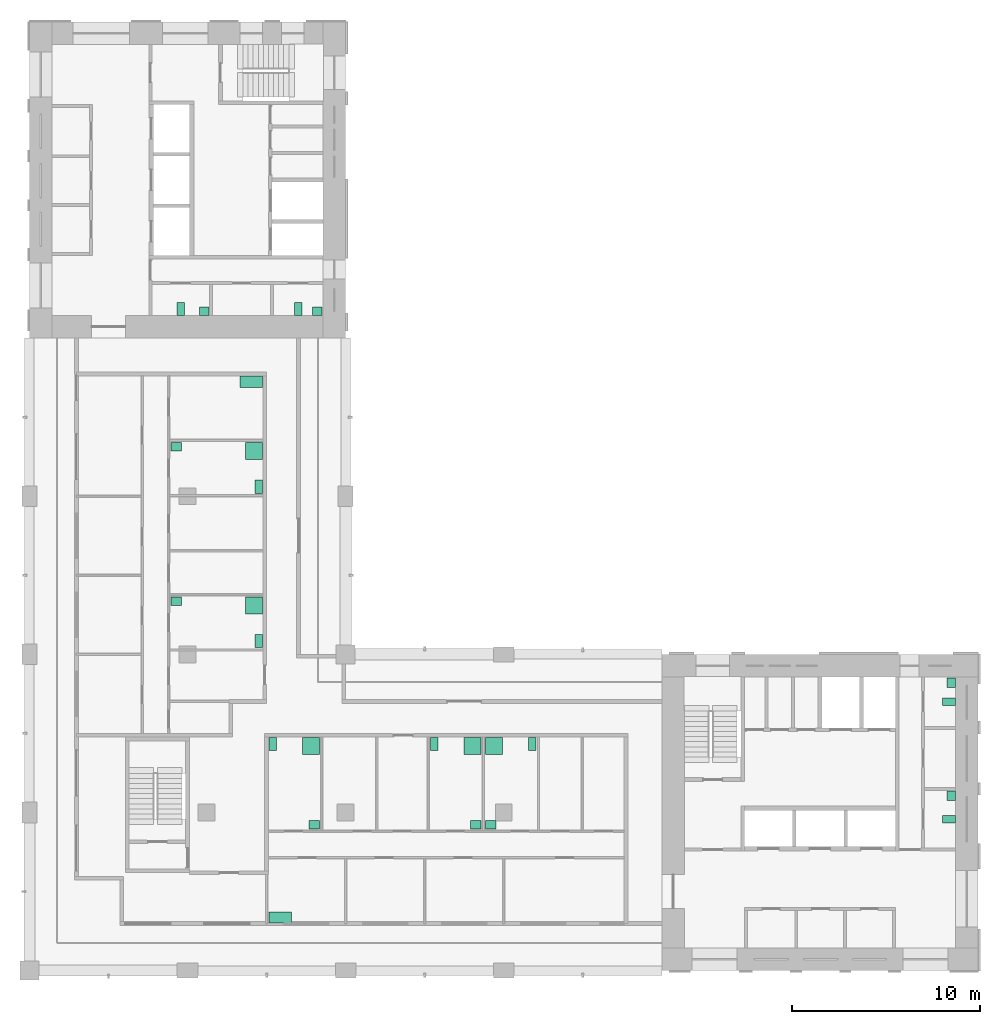
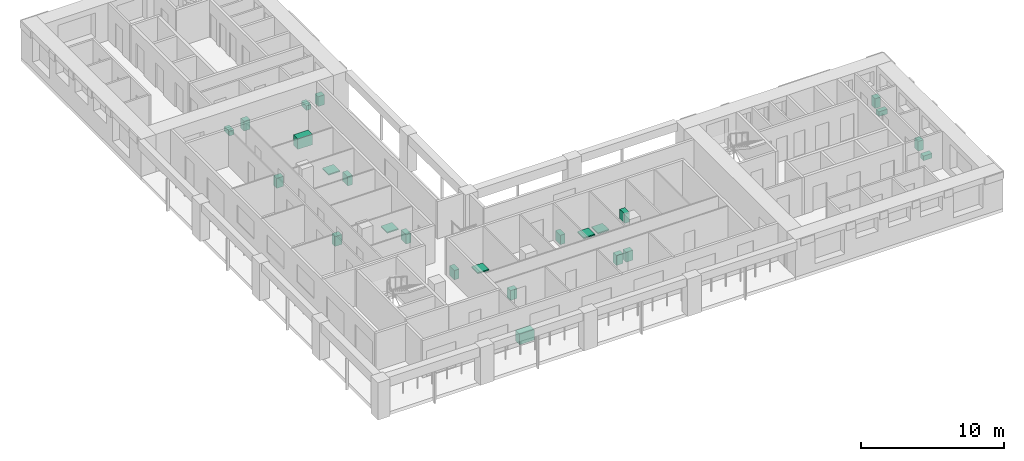
# One storey, part 10 of 10: 25 sanitary terminals.
"""IFC4 building model written with IfcOpenShell, lengths in metres."""

from ifc_helpers import new_model, si_unit, direction, frame, origin, origin_2d, place, context, subcontext, project, spatial, rectangle, extrude, material, element, save


model = new_model("IFC4")

# Units and contexts
model_context = context("Model", 3, precision=1e-05, world=origin(), true_north=direction((0.0, 1.0)))
body_context = subcontext(model_context, "Body", "Model", "MODEL_VIEW")
ifc_project = project(units=[si_unit("LENGTHUNIT", "METRE"), si_unit("AREAUNIT", "SQUARE_METRE"), si_unit("VOLUMEUNIT", "CUBIC_METRE"), si_unit("PLANEANGLEUNIT", "RADIAN"), si_unit("MASSUNIT", "GRAM", prefix="KILO")], contexts=[model_context])

# Site, building, storey
site_placement = place(None, origin())
site = spatial("IfcSite", under=ifc_project, at=site_placement, CompositionType="ELEMENT")
building_placement = place(site_placement, origin())
building = spatial("IfcBuilding", under=site, at=building_placement, Name="Vermilion Gate Residences", CompositionType="ELEMENT")
storey_placement = place(building_placement, frame((0.0, 0.0, 273.699951171875)))
storey = spatial("IfcBuildingStorey", under=building, at=storey_placement, Name="L72", CompositionType="ELEMENT", Elevation=273.699951171875)

# Sanitary terminals
ifc_material_1 = material(Name="Vitreous china")
sanitary_terminal_1_placement = place(storey_placement, frame((57.25, 16.43994140625, 0.0), z_axis=(0.0, 0.0, 1.0), x_axis=(1.0, 0.0, 0.0)))
element("IfcSanitaryTerminal", 1, at=sanitary_terminal_1_placement, inside=storey, material=ifc_material_1, Name="Toilet pan A72", PredefinedType="TOILETPAN", context=body_context, shape_type="SweptSolid", body=[
    extrude(rectangle(XDim=0.699951171875, YDim=0.39990234375, at=origin_2d()), origin(), (0.0, 0.0, 1.0), 0.39990234375),
])
sanitary_terminal_2_placement = place(storey_placement, frame((57.375, 17.679931640625, 0.0), z_axis=(0.0, 0.0, 1.0), x_axis=(1.0, 0.0, 0.0)))
element("IfcSanitaryTerminal", 2, at=sanitary_terminal_2_placement, inside=storey, material=ifc_material_1, Name="Washbasin A72", PredefinedType="WASHHANDBASIN", context=body_context, shape_type="SweptSolid", body=[
    extrude(rectangle(XDim=0.449951171875, YDim=0.5, at=origin_2d()), origin(), (0.0, 0.0, 1.0), 0.85009765625),
])
sanitary_terminal_3_placement = place(storey_placement, frame((57.25, 22.679931640625, 0.0), z_axis=(0.0, 0.0, 1.0), x_axis=(1.0, 0.0, 0.0)))
element("IfcSanitaryTerminal", 3, at=sanitary_terminal_3_placement, inside=storey, material=ifc_material_1, Name="Toilet pan A72", PredefinedType="TOILETPAN", context=body_context, shape_type="SweptSolid", body=[
    extrude(rectangle(XDim=0.699951171875, YDim=0.39990234375, at=origin_2d()), origin(), (0.0, 0.0, 1.0), 0.39990234375),
])
sanitary_terminal_4_placement = place(storey_placement, frame((57.375, 23.699951171875, 0.0), z_axis=(0.0, 0.0, 1.0), x_axis=(1.0, 0.0, 0.0)))
element("IfcSanitaryTerminal", 4, at=sanitary_terminal_4_placement, inside=storey, material=ifc_material_1, Name="Washbasin A72", PredefinedType="WASHHANDBASIN", context=body_context, shape_type="SweptSolid", body=[
    extrude(rectangle(XDim=0.449951171875, YDim=0.5, at=origin_2d()), origin(), (0.0, 0.0, 1.0), 0.85009765625),
])
sanitary_terminal_5_placement = place(storey_placement, frame((16.43994140625, 43.550048828125, 0.0), z_axis=(0.0, 0.0, 1.0), x_axis=(1.0, 0.0, 0.0)))
element("IfcSanitaryTerminal", 5, at=sanitary_terminal_5_placement, inside=storey, material=ifc_material_1, Name="Toilet pan B72", PredefinedType="TOILETPAN", context=body_context, shape_type="SweptSolid", body=[
    extrude(rectangle(XDim=0.39990234375, YDim=0.699951171875, at=origin_2d()), origin(), (0.0, 0.0, 1.0), 0.39990234375),
])
sanitary_terminal_6_placement = place(storey_placement, frame((17.679931640625, 43.425048828125, 0.0), z_axis=(0.0, 0.0, 1.0), x_axis=(1.0, 0.0, 0.0)))
element("IfcSanitaryTerminal", 6, at=sanitary_terminal_6_placement, inside=storey, material=ifc_material_1, Name="Washbasin B72", PredefinedType="WASHHANDBASIN", context=body_context, shape_type="SweptSolid", body=[
    extrude(rectangle(XDim=0.5, YDim=0.449951171875, at=origin_2d()), origin(), (0.0, 0.0, 1.0), 0.85009765625),
])
sanitary_terminal_7_placement = place(storey_placement, frame((22.679931640625, 43.550048828125, 0.0), z_axis=(0.0, 0.0, 1.0), x_axis=(1.0, 0.0, 0.0)))
element("IfcSanitaryTerminal", 7, at=sanitary_terminal_7_placement, inside=storey, material=ifc_material_1, Name="Toilet pan B72", PredefinedType="TOILETPAN", context=body_context, shape_type="SweptSolid", body=[
    extrude(rectangle(XDim=0.39990234375, YDim=0.699951171875, at=origin_2d()), origin(), (0.0, 0.0, 1.0), 0.39990234375),
])
sanitary_terminal_8_placement = place(storey_placement, frame((23.699951171875, 43.425048828125, 0.0), z_axis=(0.0, 0.0, 1.0), x_axis=(1.0, 0.0, 0.0)))
element("IfcSanitaryTerminal", 8, at=sanitary_terminal_8_placement, inside=storey, material=ifc_material_1, Name="Washbasin B72", PredefinedType="WASHHANDBASIN", context=body_context, shape_type="SweptSolid", body=[
    extrude(rectangle(XDim=0.5, YDim=0.449951171875, at=origin_2d()), origin(), (0.0, 0.0, 1.0), 0.85009765625),
])
ifc_material_2 = material(Name="Stainless steel", Category="steel")
sanitary_terminal_9_placement = place(storey_placement, frame((21.719970703125, 11.219970703125, 0.0), z_axis=(0.0, 0.0, 1.0), x_axis=(1.0, 0.0, 0.0)))
element("IfcSanitaryTerminal", 9, at=sanitary_terminal_9_placement, inside=storey, material=ifc_material_2, Name="Kitchen sink", PredefinedType="SINK", context=body_context, shape_type="SweptSolid", body=[
    extrude(rectangle(XDim=1.199951171875, YDim=0.60009765625, at=origin_2d()), origin(), (0.0, 0.0, 1.0), 0.89990234375),
])
sanitary_terminal_10_placement = place(storey_placement, frame((23.35888671875, 20.330078125, 0.0), z_axis=(0.0, 0.0, 1.0), x_axis=(1.0, 0.0, 0.0)))
element("IfcSanitaryTerminal", 10, at=sanitary_terminal_10_placement, inside=storey, material=ifc_material_1, Name="Shower tray", PredefinedType="SHOWER", context=body_context, shape_type="SweptSolid", body=[
    extrude(rectangle(XDim=0.89990234375, YDim=0.89990234375, at=origin_2d()), origin(), (0.0, 0.0, 1.0), 0.10009765625),
])
sanitary_terminal_11_placement = place(storey_placement, frame((21.320068359375, 20.429931640625, 0.0), z_axis=(0.0, 0.0, 1.0), x_axis=(1.0, 0.0, 0.0)))
element("IfcSanitaryTerminal", 11, at=sanitary_terminal_11_placement, inside=storey, material=ifc_material_1, Name="Toilet", PredefinedType="TOILETPAN", context=body_context, shape_type="SweptSolid", body=[
    extrude(rectangle(XDim=0.39990234375, YDim=0.699951171875, at=origin_2d()), origin(), (0.0, 0.0, 1.0), 0.800048828125),
])
sanitary_terminal_12_placement = place(storey_placement, frame((23.533935546875, 16.14501953125, 0.0), z_axis=(0.0, 0.0, 1.0), x_axis=(1.0, 0.0, 0.0)))
element("IfcSanitaryTerminal", 12, at=sanitary_terminal_12_placement, inside=storey, material=ifc_material_1, Name="Wash basin", PredefinedType="WASHHANDBASIN", context=body_context, shape_type="SweptSolid", body=[
    extrude(rectangle(XDim=0.550048828125, YDim=0.449951171875, at=origin_2d()), origin(), (0.0, 0.0, 1.0), 0.85009765625),
])
sanitary_terminal_13_placement = place(storey_placement, frame((31.944091796875, 20.330078125, 0.0), z_axis=(0.0, 0.0, 1.0), x_axis=(1.0, 0.0, 0.0)))
element("IfcSanitaryTerminal", 13, at=sanitary_terminal_13_placement, inside=storey, material=ifc_material_1, Name="Shower tray", PredefinedType="SHOWER", context=body_context, shape_type="SweptSolid", body=[
    extrude(rectangle(XDim=0.89990234375, YDim=0.89990234375, at=origin_2d()), origin(), (0.0, 0.0, 1.0), 0.10009765625),
])
sanitary_terminal_14_placement = place(storey_placement, frame((29.906005859375, 20.429931640625, 0.0), z_axis=(0.0, 0.0, 1.0), x_axis=(1.0, 0.0, 0.0)))
element("IfcSanitaryTerminal", 14, at=sanitary_terminal_14_placement, inside=storey, material=ifc_material_1, Name="Toilet", PredefinedType="TOILETPAN", context=body_context, shape_type="SweptSolid", body=[
    extrude(rectangle(XDim=0.39990234375, YDim=0.699951171875, at=origin_2d()), origin(), (0.0, 0.0, 1.0), 0.800048828125),
])
sanitary_terminal_15_placement = place(storey_placement, frame((32.118896484375, 16.14501953125, 0.0), z_axis=(0.0, 0.0, 1.0), x_axis=(1.0, 0.0, 0.0)))
element("IfcSanitaryTerminal", 15, at=sanitary_terminal_15_placement, inside=storey, material=ifc_material_1, Name="Wash basin", PredefinedType="WASHHANDBASIN", context=body_context, shape_type="SweptSolid", body=[
    extrude(rectangle(XDim=0.550048828125, YDim=0.449951171875, at=origin_2d()), origin(), (0.0, 0.0, 1.0), 0.85009765625),
])
sanitary_terminal_16_placement = place(storey_placement, frame((33.083984375, 20.330078125, 0.0), z_axis=(0.0, 0.0, 1.0), x_axis=(1.0, 0.0, 0.0)))
element("IfcSanitaryTerminal", 16, at=sanitary_terminal_16_placement, inside=storey, material=ifc_material_1, Name="Shower tray", PredefinedType="SHOWER", context=body_context, shape_type="SweptSolid", body=[
    extrude(rectangle(XDim=0.89990234375, YDim=0.89990234375, at=origin_2d()), origin(), (0.0, 0.0, 1.0), 0.10009765625),
])
sanitary_terminal_17_placement = place(storey_placement, frame((35.123046875, 20.429931640625, 0.0), z_axis=(0.0, 0.0, 1.0), x_axis=(1.0, 0.0, 0.0)))
element("IfcSanitaryTerminal", 17, at=sanitary_terminal_17_placement, inside=storey, material=ifc_material_1, Name="Toilet", PredefinedType="TOILETPAN", context=body_context, shape_type="SweptSolid", body=[
    extrude(rectangle(XDim=0.39990234375, YDim=0.699951171875, at=origin_2d()), origin(), (0.0, 0.0, 1.0), 0.800048828125),
])
sanitary_terminal_18_placement = place(storey_placement, frame((32.908935546875, 16.14501953125, 0.0), z_axis=(0.0, 0.0, 1.0), x_axis=(1.0, 0.0, 0.0)))
element("IfcSanitaryTerminal", 18, at=sanitary_terminal_18_placement, inside=storey, material=ifc_material_1, Name="Wash basin", PredefinedType="WASHHANDBASIN", context=body_context, shape_type="SweptSolid", body=[
    extrude(rectangle(XDim=0.550048828125, YDim=0.449951171875, at=origin_2d()), origin(), (0.0, 0.0, 1.0), 0.85009765625),
])
sanitary_terminal_19_placement = place(storey_placement, frame((20.330078125, 27.797119140625, 0.0), z_axis=(0.0, 0.0, 1.0), x_axis=(1.0, 0.0, 0.0)))
element("IfcSanitaryTerminal", 19, at=sanitary_terminal_19_placement, inside=storey, material=ifc_material_1, Name="Shower tray", PredefinedType="SHOWER", context=body_context, shape_type="SweptSolid", body=[
    extrude(rectangle(XDim=0.89990234375, YDim=0.89990234375, at=origin_2d()), origin(), (0.0, 0.0, 1.0), 0.10009765625),
])
sanitary_terminal_20_placement = place(storey_placement, frame((20.580078125, 25.903076171875, 0.0), z_axis=(0.0, 0.0, 1.0), x_axis=(1.0, 0.0, 0.0)))
element("IfcSanitaryTerminal", 20, at=sanitary_terminal_20_placement, inside=storey, material=ifc_material_1, Name="Toilet", PredefinedType="TOILETPAN", context=body_context, shape_type="SweptSolid", body=[
    extrude(rectangle(XDim=0.39990234375, YDim=0.699951171875, at=origin_2d()), origin(), (0.0, 0.0, 1.0), 0.800048828125),
])
sanitary_terminal_21_placement = place(storey_placement, frame((16.195068359375, 28.02197265625, 0.0), z_axis=(0.0, 0.0, 1.0), x_axis=(1.0, 0.0, 0.0)))
element("IfcSanitaryTerminal", 21, at=sanitary_terminal_21_placement, inside=storey, material=ifc_material_1, Name="Wash basin", PredefinedType="WASHHANDBASIN", context=body_context, shape_type="SweptSolid", body=[
    extrude(rectangle(XDim=0.550048828125, YDim=0.449951171875, at=origin_2d()), origin(), (0.0, 0.0, 1.0), 0.85009765625),
])
sanitary_terminal_22_placement = place(storey_placement, frame((20.330078125, 35.9970703125, 0.0), z_axis=(0.0, 0.0, 1.0), x_axis=(1.0, 0.0, 0.0)))
element("IfcSanitaryTerminal", 22, at=sanitary_terminal_22_placement, inside=storey, material=ifc_material_1, Name="Shower tray", PredefinedType="SHOWER", context=body_context, shape_type="SweptSolid", body=[
    extrude(rectangle(XDim=0.89990234375, YDim=0.89990234375, at=origin_2d()), origin(), (0.0, 0.0, 1.0), 0.10009765625),
])
sanitary_terminal_23_placement = place(storey_placement, frame((20.580078125, 34.10302734375, 0.0), z_axis=(0.0, 0.0, 1.0), x_axis=(1.0, 0.0, 0.0)))
element("IfcSanitaryTerminal", 23, at=sanitary_terminal_23_placement, inside=storey, material=ifc_material_1, Name="Toilet", PredefinedType="TOILETPAN", context=body_context, shape_type="SweptSolid", body=[
    extrude(rectangle(XDim=0.39990234375, YDim=0.699951171875, at=origin_2d()), origin(), (0.0, 0.0, 1.0), 0.800048828125),
])
sanitary_terminal_24_placement = place(storey_placement, frame((16.195068359375, 36.221923828125, 0.0), z_axis=(0.0, 0.0, 1.0), x_axis=(1.0, 0.0, 0.0)))
element("IfcSanitaryTerminal", 24, at=sanitary_terminal_24_placement, inside=storey, material=ifc_material_1, Name="Wash basin", PredefinedType="WASHHANDBASIN", context=body_context, shape_type="SweptSolid", body=[
    extrude(rectangle(XDim=0.550048828125, YDim=0.449951171875, at=origin_2d()), origin(), (0.0, 0.0, 1.0), 0.85009765625),
])
sanitary_terminal_25_placement = place(storey_placement, frame((20.179931640625, 39.679931640625, 0.0), z_axis=(0.0, 0.0, 1.0), x_axis=(1.0, 0.0, 0.0)))
element("IfcSanitaryTerminal", 25, at=sanitary_terminal_25_placement, inside=storey, material=ifc_material_2, Name="Kitchen sink", PredefinedType="SINK", context=body_context, shape_type="SweptSolid", body=[
    extrude(rectangle(XDim=1.199951171875, YDim=0.60009765625, at=origin_2d()), origin(), (0.0, 0.0, 1.0), 0.89990234375),
])

save(model, "model.ifc")
